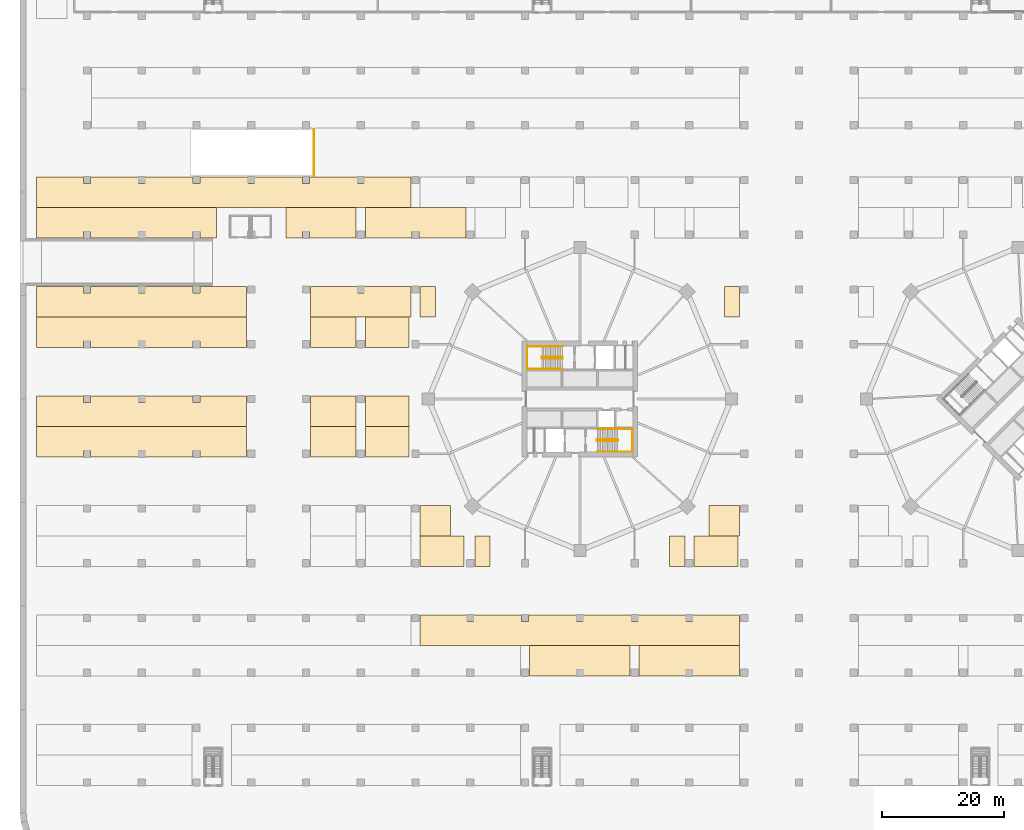
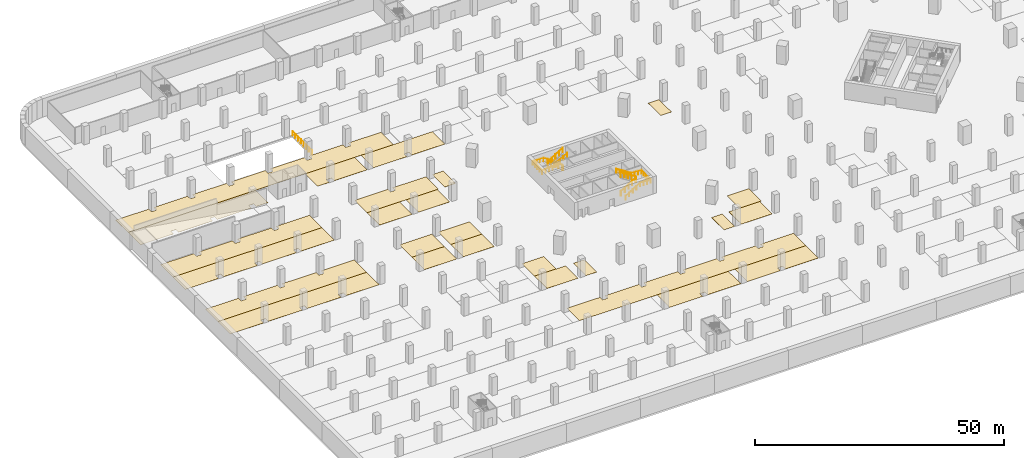
# One storey, part 24 of 34: 26 coverings, 5 railings.
"""IFC4 building model written with IfcOpenShell, lengths in metres."""

from ifc_helpers import new_model, si_unit, direction, frame, origin, origin_2d, place, context, subcontext, project, spatial, polyline, circle, outline, extrude, material, layer, layer_set, type_object, element, save


model = new_model("IFC4")

# Units and contexts
model_context = context("Model", 3, precision=1e-05, world=origin(), true_north=direction((0.0, 1.0)))
body_context = subcontext(model_context, "Body", "Model", "MODEL_VIEW")
ifc_project = project(units=[si_unit("LENGTHUNIT", "METRE"), si_unit("AREAUNIT", "SQUARE_METRE"), si_unit("VOLUMEUNIT", "CUBIC_METRE"), si_unit("PLANEANGLEUNIT", "RADIAN"), si_unit("MASSUNIT", "GRAM", prefix="KILO")], contexts=[model_context])

# Site, building, storey
site_placement = place(None, origin())
site = spatial("IfcSite", under=ifc_project, at=site_placement, CompositionType="ELEMENT")
building_placement = place(site_placement, origin())
building = spatial("IfcBuilding", under=site, at=building_placement, Name="Ogive Gate Towers", CompositionType="ELEMENT")
storey_placement = place(building_placement, frame((0.0, 0.0, -4.5)))
storey = spatial("IfcBuildingStorey", under=building, at=storey_placement, Name="B1", CompositionType="ELEMENT", Elevation=-4.5)

# Coverings
ifc_material_1 = material(Name="Painted floor marking")
ifc_layer_1 = layer(ifc_material_1, 0.02001953125)
ifc_layer_set_1 = layer_set([ifc_layer_1], Name="Accessible bay marking")
covering_type_1 = type_object("IfcCoveringType", Name="Accessible bay marking", PredefinedType="FLOORING", material=ifc_layer_set_1)
covering_1_placement = place(storey_placement, origin())
element("IfcCovering", 1, at=covering_1_placement, inside=storey, type_object=covering_type_1, Name="Accessible parking bays B1-074 to B1-075", PredefinedType="FLOORING", context=body_context, shape_type="SweptSolid", body=[
    extrude(outline(polyline([(-64.050048828125, 13.5), (-64.050048828125, 8.5), (-71.25, 8.5), (-71.25, 13.5), (-64.050048828125, 13.5)])), origin(), (0.0, 0.0, 1.0), 0.02001953125),
])
covering_2_placement = place(storey_placement, origin())
element("IfcCovering", 2, at=covering_2_placement, inside=storey, type_object=covering_type_1, Name="Accessible parking bays B1-187 to B1-188", PredefinedType="FLOORING", context=body_context, shape_type="SweptSolid", body=[
    extrude(outline(polyline([(-64.050048828125, -4.5), (-64.050048828125, -9.5), (-71.25, -9.5), (-71.25, -4.5), (-64.050048828125, -4.5)])), origin(), (0.0, 0.0, 1.0), 0.02001953125),
])
covering_3_placement = place(storey_placement, origin())
element("IfcCovering", 3, at=covering_3_placement, inside=storey, type_object=covering_type_1, Name="Accessible parking bays B1-224 to B1-225", PredefinedType="FLOORING", context=body_context, shape_type="SweptSolid", body=[
    extrude(outline(polyline([(-55.050048828125, -27.5), (-62.25, -27.5), (-62.25, -22.5), (-55.050048828125, -22.5), (-55.050048828125, -27.5)])), origin(), (0.0, 0.0, 1.0), 0.02001953125),
])
covering_4_placement = place(storey_placement, origin())
element("IfcCovering", 4, at=covering_4_placement, inside=storey, type_object=covering_type_1, Name="Accessible parking bays B1-228 to B1-229", PredefinedType="FLOORING", context=body_context, shape_type="SweptSolid", body=[
    extrude(outline(polyline([(-10.050048828125, -27.5), (-17.25, -27.5), (-17.25, -22.5), (-10.050048828125, -22.5), (-10.050048828125, -27.5)])), origin(), (0.0, 0.0, 1.0), 0.02001953125),
])
covering_5_placement = place(storey_placement, origin())
element("IfcCovering", 5, at=covering_5_placement, inside=storey, type_object=covering_type_1, Name="Accessible parking bays B1-452 to B1-453", PredefinedType="FLOORING", context=body_context, shape_type="SweptSolid", body=[
    extrude(outline(polyline([(-64.050048828125, 0.5), (-64.050048828125, -4.5), (-71.25, -4.5), (-71.25, 0.5), (-64.050048828125, 0.5)])), origin(), (0.0, 0.0, 1.0), 0.02001953125),
])

# Railing
ifc_material_2 = material(Name="Painted steel", Category="steel")
railing_type_1 = type_object("IfcRailingType", Name="Car park guard 1100", PredefinedType="GUARDRAIL", material=ifc_material_2)
railing_1_placement = place(storey_placement, frame((-79.699951171875, 36.699951171875, 0.0)))
element("IfcRailing", 6, at=railing_1_placement, inside=storey, type_object=railing_type_1, Name="Ramp opening guard 03", PredefinedType="GUARDRAIL", context=body_context, shape_type="SweptSolid", body=[
    extrude(circle(Radius=0.02392578125, at=origin_2d()), frame((0.0, 0.0, 1.076171875), z_axis=(0.0, 1.0, 0.0), x_axis=(-1.0, 0.0, 0.0)), (0.0, 0.0, 1.0), 7.60009765625),
    extrude(circle(Radius=0.02099609375, at=origin_2d()), origin(), (0.0, 0.0, 1.0), 1.052001953125),
    extrude(circle(Radius=0.02099609375, at=origin_2d()), frame((0.0, 1.085693359375, 0.0)), (0.0, 0.0, 1.0), 1.052001953125),
    extrude(circle(Radius=0.02099609375, at=origin_2d()), frame((0.0, 2.17138671875, 0.0)), (0.0, 0.0, 1.0), 1.052001953125),
    extrude(circle(Radius=0.02099609375, at=origin_2d()), frame((0.0, 3.257080078125, 0.0)), (0.0, 0.0, 1.0), 1.052001953125),
    extrude(circle(Radius=0.02099609375, at=origin_2d()), frame((0.0, 4.343017578125, 0.0)), (0.0, 0.0, 1.0), 1.052001953125),
    extrude(circle(Radius=0.02099609375, at=origin_2d()), frame((0.0, 5.4287109375, 0.0)), (0.0, 0.0, 1.0), 1.052001953125),
    extrude(circle(Radius=0.02099609375, at=origin_2d()), frame((0.0, 6.514404296875, 0.0)), (0.0, 0.0, 1.0), 1.052001953125),
    extrude(circle(Radius=0.02099609375, at=origin_2d()), frame((0.0, 7.60009765625, 0.0)), (0.0, 0.0, 1.0), 1.052001953125),
])

# Coverings
ifc_layer_2 = layer(ifc_material_1, 0.02001953125)
ifc_layer_set_2 = layer_set([ifc_layer_2], Name="Charging bay marking")
covering_type_2 = type_object("IfcCoveringType", Name="Charging bay marking", PredefinedType="FLOORING", material=ifc_layer_set_2)
covering_6_placement = place(storey_placement, origin())
element("IfcCovering", 7, at=covering_6_placement, inside=storey, type_object=covering_type_2, Name="Charging bays B1-015 to B1-020", PredefinedType="FLOORING", context=body_context, shape_type="SweptSolid", body=[
    extrude(outline(polyline([(-71.25, 31.5), (-54.75, 31.5), (-54.75, 26.5), (-62.449951171875, 26.5), (-62.449951171875, 27.550048828125), (-63.550048828125, 27.550048828125), (-63.550048828125, 26.5), (-71.25, 26.5), (-71.25, 31.5)])), origin(), (0.0, 0.0, 1.0), 0.02001953125),
])
covering_7_placement = place(storey_placement, origin())
element("IfcCovering", 8, at=covering_7_placement, inside=storey, type_object=covering_type_2, Name="Charging bays B1-071 to B1-073", PredefinedType="FLOORING", context=body_context, shape_type="SweptSolid", body=[
    extrude(outline(polyline([(-72.75, 13.5), (-72.75, 8.5), (-80.25, 8.5), (-80.25, 13.5), (-72.75, 13.5)])), origin(), (0.0, 0.0, 1.0), 0.02001953125),
])
covering_8_placement = place(storey_placement, origin())
element("IfcCovering", 9, at=covering_8_placement, inside=storey, type_object=covering_type_2, Name="Charging bays B1-184 to B1-186", PredefinedType="FLOORING", context=body_context, shape_type="SweptSolid", body=[
    extrude(outline(polyline([(-72.75, -4.5), (-72.75, -9.5), (-80.25, -9.5), (-80.25, -4.5), (-72.75, -4.5)])), origin(), (0.0, 0.0, 1.0), 0.02001953125),
])
covering_9_placement = place(storey_placement, origin())
element("IfcCovering", 10, at=covering_9_placement, inside=storey, type_object=covering_type_2, Name="Charging bays B1-279 to B1-284", PredefinedType="FLOORING", context=body_context, shape_type="SweptSolid", body=[
    extrude(outline(polyline([(-44.25, -40.5), (-27.75, -40.5), (-27.75, -45.5), (-35.449951171875, -45.5), (-35.449951171875, -44.449951171875), (-36.550048828125, -44.449951171875), (-36.550048828125, -45.5), (-44.25, -45.5), (-44.25, -40.5)])), origin(), (0.0, 0.0, 1.0), 0.02001953125),
])
covering_10_placement = place(storey_placement, origin())
element("IfcCovering", 11, at=covering_10_placement, inside=storey, type_object=covering_type_2, Name="Charging bays B1-409 to B1-414", PredefinedType="FLOORING", context=body_context, shape_type="SweptSolid", body=[
    extrude(outline(polyline([(-80.25, 18.5), (-72.550048828125, 18.5), (-72.550048828125, 17.449951171875), (-71.449951171875, 17.449951171875), (-71.449951171875, 18.5), (-63.75, 18.5), (-63.75, 13.5), (-80.25, 13.5), (-80.25, 18.5)])), origin(), (0.0, 0.0, 1.0), 0.02001953125),
])
covering_11_placement = place(storey_placement, origin())
element("IfcCovering", 12, at=covering_11_placement, inside=storey, type_object=covering_type_2, Name="Charging bays B1-449 to B1-451", PredefinedType="FLOORING", context=body_context, shape_type="SweptSolid", body=[
    extrude(outline(polyline([(-72.75, 0.5), (-72.75, -4.5), (-80.25, -4.5), (-80.25, 0.5), (-72.75, 0.5)])), origin(), (0.0, 0.0, 1.0), 0.02001953125),
])
covering_12_placement = place(storey_placement, origin())
element("IfcCovering", 13, at=covering_12_placement, inside=storey, type_object=covering_type_2, Name="Charging bays B1-686 to B1-703", PredefinedType="FLOORING", context=body_context, shape_type="SweptSolid", body=[
    extrude(outline(polyline([(-62.25, -35.5), (-54.550048828125, -35.5), (-54.550048828125, -36.550048828125), (-53.449951171875, -36.550048828125), (-53.449951171875, -35.5), (-45.550048828125, -35.5), (-45.550048828125, -36.550048828125), (-44.449951171875, -36.550048828125), (-44.449951171875, -35.5), (-36.550048828125, -35.5), (-36.550048828125, -36.550048828125), (-35.449951171875, -36.550048828125), (-35.449951171875, -35.5), (-27.550048828125, -35.5), (-27.550048828125, -36.550048828125), (-26.449951171875, -36.550048828125), (-26.449951171875, -35.5), (-18.550048828125, -35.5), (-18.550048828125, -36.550048828125), (-17.449951171875, -36.550048828125), (-17.449951171875, -35.5), (-9.75, -35.5), (-9.75, -40.5), (-62.25, -40.5), (-62.25, -35.5)])), origin(), (0.0, 0.0, 1.0), 0.02001953125),
])
ifc_layer_3 = layer(ifc_material_1, 0.02001953125)
ifc_layer_set_3 = layer_set([ifc_layer_3], Name="Parking bay marking")
covering_type_3 = type_object("IfcCoveringType", Name="Parking bay marking", PredefinedType="FLOORING", material=ifc_layer_set_3)
covering_13_placement = place(storey_placement, origin())
element("IfcCovering", 14, at=covering_13_placement, inside=storey, type_object=covering_type_3, Name="Parking bays B1-001 to B1-010", PredefinedType="FLOORING", context=body_context, shape_type="SweptSolid", body=[
    extrude(outline(polyline([(-125.25, 31.5), (-95.75, 31.5), (-95.75, 26.5), (-98.449951171875, 26.5), (-98.449951171875, 27.550048828125), (-99.550048828125, 27.550048828125), (-99.550048828125, 26.5), (-107.449951171875, 26.5), (-107.449951171875, 27.550048828125), (-108.550048828125, 27.550048828125), (-108.550048828125, 26.5), (-116.449951171875, 26.5), (-116.449951171875, 27.550048828125), (-117.550048828125, 27.550048828125), (-117.550048828125, 26.5), (-125.25, 26.5), (-125.25, 31.5)])), origin(), (0.0, 0.0, 1.0), 0.02001953125),
])
covering_14_placement = place(storey_placement, origin())
element("IfcCovering", 15, at=covering_14_placement, inside=storey, type_object=covering_type_3, Name="Parking bays B1-011 to B1-014", PredefinedType="FLOORING", context=body_context, shape_type="SweptSolid", body=[
    extrude(outline(polyline([(-84.25, 31.5), (-72.75, 31.5), (-72.75, 26.5), (-80.449951171875, 26.5), (-80.449951171875, 27.550048828125), (-81.550048828125, 27.550048828125), (-81.550048828125, 26.5), (-84.25, 26.5), (-84.25, 31.5)])), origin(), (0.0, 0.0, 1.0), 0.02001953125),
])
covering_15_placement = place(storey_placement, origin())
element("IfcCovering", 16, at=covering_15_placement, inside=storey, type_object=covering_type_3, Name="Parking bays B1-059 to B1-070", PredefinedType="FLOORING", context=body_context, shape_type="SweptSolid", body=[
    extrude(outline(polyline([(-125.25, 13.5), (-90.75, 13.5), (-90.75, 8.5), (-98.449951171875, 8.5), (-98.449951171875, 9.550048828125), (-99.550048828125, 9.550048828125), (-99.550048828125, 8.5), (-107.449951171875, 8.5), (-107.449951171875, 9.550048828125), (-108.550048828125, 9.550048828125), (-108.550048828125, 8.5), (-116.449951171875, 8.5), (-116.449951171875, 9.550048828125), (-117.550048828125, 9.550048828125), (-117.550048828125, 8.5), (-125.25, 8.5), (-125.25, 13.5)])), origin(), (0.0, 0.0, 1.0), 0.02001953125),
])
covering_16_placement = place(storey_placement, origin())
element("IfcCovering", 17, at=covering_16_placement, inside=storey, type_object=covering_type_3, Name="Parking bays B1-172 to B1-183", PredefinedType="FLOORING", context=body_context, shape_type="SweptSolid", body=[
    extrude(outline(polyline([(-125.25, -4.5), (-90.75, -4.5), (-90.75, -9.5), (-98.449951171875, -9.5), (-98.449951171875, -8.449951171875), (-99.550048828125, -8.449951171875), (-99.550048828125, -9.5), (-107.449951171875, -9.5), (-107.449951171875, -8.449951171875), (-108.550048828125, -8.449951171875), (-108.550048828125, -9.5), (-116.449951171875, -9.5), (-116.449951171875, -8.449951171875), (-117.550048828125, -8.449951171875), (-117.550048828125, -9.5), (-125.25, -9.5), (-125.25, -4.5)])), origin(), (0.0, 0.0, 1.0), 0.02001953125),
])
covering_17_placement = place(storey_placement, origin())
element("IfcCovering", 18, at=covering_17_placement, inside=storey, type_object=covering_type_3, Name="Parking bay B1-226", PredefinedType="FLOORING", context=body_context, shape_type="SweptSolid", body=[
    extrude(outline(polyline([(-53.25, -22.5), (-50.75, -22.5), (-50.75, -27.5), (-53.25, -27.5), (-53.25, -22.5)])), origin(), (0.0, 0.0, 1.0), 0.02001953125),
])
covering_18_placement = place(storey_placement, origin())
element("IfcCovering", 19, at=covering_18_placement, inside=storey, type_object=covering_type_3, Name="Parking bay B1-227", PredefinedType="FLOORING", context=body_context, shape_type="SweptSolid", body=[
    extrude(outline(polyline([(-21.25, -22.5), (-18.75, -22.5), (-18.75, -27.5), (-21.25, -27.5), (-21.25, -22.5)])), origin(), (0.0, 0.0, 1.0), 0.02001953125),
])
covering_19_placement = place(storey_placement, origin())
element("IfcCovering", 20, at=covering_19_placement, inside=storey, type_object=covering_type_3, Name="Parking bays B1-285 to B1-290", PredefinedType="FLOORING", context=body_context, shape_type="SweptSolid", body=[
    extrude(outline(polyline([(-9.75, -40.5), (-9.75, -45.5), (-17.449951171875, -45.5), (-17.449951171875, -44.449951171875), (-18.550048828125, -44.449951171875), (-18.550048828125, -45.5), (-26.25, -45.5), (-26.25, -40.5), (-9.75, -40.5)])), origin(), (0.0, 0.0, 1.0), 0.02001953125),
])
covering_20_placement = place(storey_placement, origin())
element("IfcCovering", 21, at=covering_20_placement, inside=storey, type_object=covering_type_3, Name="Parking bays B1-397 to B1-408", PredefinedType="FLOORING", context=body_context, shape_type="SweptSolid", body=[
    extrude(outline(polyline([(-125.25, 18.5), (-117.550048828125, 18.5), (-117.550048828125, 17.449951171875), (-116.449951171875, 17.449951171875), (-116.449951171875, 18.5), (-108.550048828125, 18.5), (-108.550048828125, 17.449951171875), (-107.449951171875, 17.449951171875), (-107.449951171875, 18.5), (-99.550048828125, 18.5), (-99.550048828125, 17.449951171875), (-98.449951171875, 17.449951171875), (-98.449951171875, 18.5), (-90.75, 18.5), (-90.75, 13.5), (-125.25, 13.5), (-125.25, 18.5)])), origin(), (0.0, 0.0, 1.0), 0.02001953125),
])
covering_21_placement = place(storey_placement, origin())
element("IfcCovering", 22, at=covering_21_placement, inside=storey, type_object=covering_type_3, Name="Parking bay B1-415", PredefinedType="FLOORING", context=body_context, shape_type="SweptSolid", body=[
    extrude(outline(polyline([(-62.25, 18.5), (-59.75, 18.5), (-59.75, 13.5), (-62.25, 13.5), (-62.25, 18.5)])), origin(), (0.0, 0.0, 1.0), 0.02001953125),
])
covering_22_placement = place(storey_placement, origin())
element("IfcCovering", 23, at=covering_22_placement, inside=storey, type_object=covering_type_3, Name="Parking bay B1-416", PredefinedType="FLOORING", context=body_context, shape_type="SweptSolid", body=[
    extrude(outline(polyline([(-12.25, 18.5), (-9.75, 18.5), (-9.75, 13.5), (-12.25, 13.5), (-12.25, 18.5)])), origin(), (0.0, 0.0, 1.0), 0.02001953125),
])
covering_23_placement = place(storey_placement, origin())
element("IfcCovering", 24, at=covering_23_placement, inside=storey, type_object=covering_type_3, Name="Parking bays B1-437 to B1-448", PredefinedType="FLOORING", context=body_context, shape_type="SweptSolid", body=[
    extrude(outline(polyline([(-125.25, 0.5), (-117.550048828125, 0.5), (-117.550048828125, -0.550048828125), (-116.449951171875, -0.550048828125), (-116.449951171875, 0.5), (-108.550048828125, 0.5), (-108.550048828125, -0.550048828125), (-107.449951171875, -0.550048828125), (-107.449951171875, 0.5), (-99.550048828125, 0.5), (-99.550048828125, -0.550048828125), (-98.449951171875, -0.550048828125), (-98.449951171875, 0.5), (-90.75, 0.5), (-90.75, -4.5), (-125.25, -4.5), (-125.25, 0.5)])), origin(), (0.0, 0.0, 1.0), 0.02001953125),
])
covering_24_placement = place(storey_placement, origin())
element("IfcCovering", 25, at=covering_24_placement, inside=storey, type_object=covering_type_3, Name="Parking bays B1-471 to B1-491", PredefinedType="FLOORING", context=body_context, shape_type="SweptSolid", body=[
    extrude(outline(polyline([(-125.25, 36.5), (-117.550048828125, 36.5), (-117.550048828125, 35.449951171875), (-116.449951171875, 35.449951171875), (-116.449951171875, 36.5), (-108.550048828125, 36.5), (-108.550048828125, 35.449951171875), (-107.449951171875, 35.449951171875), (-107.449951171875, 36.5), (-99.550048828125, 36.5), (-99.550048828125, 35.449951171875), (-98.449951171875, 35.449951171875), (-98.449951171875, 36.5), (-90.550048828125, 36.5), (-90.550048828125, 35.449951171875), (-89.449951171875, 35.449951171875), (-89.449951171875, 36.5), (-81.550048828125, 36.5), (-81.550048828125, 35.449951171875), (-80.449951171875, 35.449951171875), (-80.449951171875, 36.5), (-72.550048828125, 36.5), (-72.550048828125, 35.449951171875), (-71.449951171875, 35.449951171875), (-71.449951171875, 36.5), (-63.75, 36.5), (-63.75, 31.5), (-125.25, 31.5), (-125.25, 36.5)])), origin(), (0.0, 0.0, 1.0), 0.02001953125),
])
covering_25_placement = place(storey_placement, origin())
element("IfcCovering", 26, at=covering_25_placement, inside=storey, type_object=covering_type_3, Name="Parking bays B1-639 to B1-640", PredefinedType="FLOORING", context=body_context, shape_type="SweptSolid", body=[
    extrude(outline(polyline([(-62.25, -17.5), (-57.25, -17.5), (-57.25, -22.5), (-62.25, -22.5), (-62.25, -17.5)])), origin(), (0.0, 0.0, 1.0), 0.02001953125),
])
covering_26_placement = place(storey_placement, origin())
element("IfcCovering", 27, at=covering_26_placement, inside=storey, type_object=covering_type_3, Name="Parking bays B1-641 to B1-642", PredefinedType="FLOORING", context=body_context, shape_type="SweptSolid", body=[
    extrude(outline(polyline([(-14.75, -17.5), (-9.75, -17.5), (-9.75, -22.5), (-14.75, -22.5), (-14.75, -17.5)])), origin(), (0.0, 0.0, 1.0), 0.02001953125),
])

# Railings
ifc_material_3 = material(Name="Stainless steel", Category="steel")
railing_type_2 = type_object("IfcRailingType", Name="Stair guard 1100", PredefinedType="GUARDRAIL", material=ifc_material_3)
railing_2_placement = place(storey_placement, frame((-38.81494140625, 6.860107421875, 0.0)))
element("IfcRailing", 28, at=railing_2_placement, inside=storey, type_object=railing_type_2, Name="B1 ST1 stair guard 1", PredefinedType="GUARDRAIL", context=body_context, shape_type="SweptSolid", body=[
    extrude(circle(Radius=0.02392578125, at=origin_2d()), frame((0.0, 0.0, 1.076171875), z_axis=(0.0, -1.0, 0.0), x_axis=(1.0, 0.0, 0.0)), (0.0, 0.0, 1.0), 0.14501953125),
    extrude(circle(Radius=0.02392578125, at=origin_2d()), frame((0.0, -0.14501953125, 1.076171875), z_axis=(-0.188597165029, 0.734148964356, 0.652270195148), x_axis=(-0.968551454522, -0.24881334358, 0.0)), (0.0, 0.0, 1.0), 0.265380859375),
    extrude(circle(Radius=0.02392578125, at=origin_2d()), frame((-0.050048828125, 0.0498046875, 1.2490234375), z_axis=(-0.850623216509, 0.0, 0.525775754039), x_axis=(0.0, -1.0, 0.0)), (0.0, 0.0, 1.0), 3.9501953125),
    extrude(circle(Radius=0.02392578125, at=origin_2d()), frame((-3.41015625, 0.0498046875, 3.326171875), z_axis=(-0.707106781187, -0.707106781187, 0.0), x_axis=(0.707106781187, -0.707106781187, 0.0)), (0.0, 0.0, 1.0), 0.0703125),
    extrude(circle(Radius=0.02392578125, at=origin_2d()), frame((-3.4599609375, 0.0, 3.326171875), z_axis=(0.0, -1.0, 0.0), x_axis=(1.0, 0.0, 0.0)), (0.0, 0.0, 1.0), 0.14501953125),
    extrude(circle(Radius=0.02392578125, at=origin_2d()), frame((-3.4599609375, -0.14501953125, 3.326171875), z_axis=(0.266417085129, -0.267723051232, 0.925929967433), x_axis=(0.708833529934, 0.705375805398, 0.0)), (0.0, 0.0, 1.0), 0.18701171875),
    extrude(circle(Radius=0.02392578125, at=origin_2d()), frame((-3.41015625, -0.195068359375, 3.4990234375), z_axis=(0.850623216509, 0.0, 0.525775754039), x_axis=(0.0, 1.0, 0.0)), (0.0, 0.0, 1.0), 3.9501953125),
    extrude(circle(Radius=0.02099609375, at=origin_2d()), origin(), (0.0, 0.0, 1.0), 1.052001953125),
    extrude(circle(Radius=0.02099609375, at=origin_2d()), frame((0.0, -0.14501953125, 0.0)), (0.0, 0.0, 1.0), 1.052001953125),
    extrude(circle(Radius=0.02099609375, at=origin_2d()), frame((-0.050048828125, 0.0498046875, 0.173095703125)), (0.0, 0.0, 1.0), 1.052001953125),
    extrude(circle(Radius=0.02099609375, at=origin_2d()), frame((-0.89013671875, 0.0498046875, 0.6923828125)), (0.0, 0.0, 1.0), 1.052001953125),
    extrude(circle(Radius=0.02099609375, at=origin_2d()), frame((-1.72998046875, 0.0498046875, 1.21142578125)), (0.0, 0.0, 1.0), 1.052001953125),
    extrude(circle(Radius=0.02099609375, at=origin_2d()), frame((-2.570068359375, 0.0498046875, 1.730712890625)), (0.0, 0.0, 1.0), 1.052001953125),
    extrude(circle(Radius=0.02099609375, at=origin_2d()), frame((-3.41015625, 0.0498046875, 2.25)), (0.0, 0.0, 1.0), 1.052001953125),
    extrude(circle(Radius=0.02099609375, at=origin_2d()), frame((-3.4599609375, 0.0, 2.25)), (0.0, 0.0, 1.0), 1.052001953125),
    extrude(circle(Radius=0.02099609375, at=origin_2d()), frame((-3.4599609375, -0.14501953125, 2.25)), (0.0, 0.0, 1.0), 1.052001953125),
    extrude(circle(Radius=0.02099609375, at=origin_2d()), frame((-3.41015625, -0.195068359375, 2.423095703125)), (0.0, 0.0, 1.0), 1.052001953125),
    extrude(circle(Radius=0.02099609375, at=origin_2d()), frame((-2.570068359375, -0.195068359375, 2.9423828125)), (0.0, 0.0, 1.0), 1.052001953125),
    extrude(circle(Radius=0.02099609375, at=origin_2d()), frame((-1.72998046875, -0.195068359375, 3.46142578125)), (0.0, 0.0, 1.0), 1.052001953125),
    extrude(circle(Radius=0.02099609375, at=origin_2d()), frame((-0.89013671875, -0.195068359375, 3.980712890625)), (0.0, 0.0, 1.0), 1.052001953125),
    extrude(circle(Radius=0.02099609375, at=origin_2d()), frame((-0.050048828125, -0.195068359375, 4.5)), (0.0, 0.0, 1.0), 1.052001953125),
])
railing_3_placement = place(storey_placement, frame((-33.18505859375, -6.860107421875, 0.0)))
element("IfcRailing", 29, at=railing_3_placement, inside=storey, type_object=railing_type_2, Name="B1 ST2 stair guard 1", PredefinedType="GUARDRAIL", context=body_context, shape_type="SweptSolid", body=[
    extrude(circle(Radius=0.02392578125, at=origin_2d()), frame((0.0, 0.0, 1.076171875), z_axis=(0.0, 1.0, 0.0), x_axis=(-1.0, 0.0, 0.0)), (0.0, 0.0, 1.0), 0.14501953125),
    extrude(circle(Radius=0.02392578125, at=origin_2d()), frame((0.0, 0.14501953125, 1.076171875), z_axis=(0.188597165029, -0.734148964356, 0.652270195148), x_axis=(0.968551454522, 0.24881334358, 0.0)), (0.0, 0.0, 1.0), 0.265380859375),
    extrude(circle(Radius=0.02392578125, at=origin_2d()), frame((0.050048828125, -0.0498046875, 1.2490234375), z_axis=(0.850623216509, 0.0, 0.525775754039), x_axis=(0.0, 1.0, 0.0)), (0.0, 0.0, 1.0), 3.9501953125),
    extrude(circle(Radius=0.02392578125, at=origin_2d()), frame((3.41015625, -0.0498046875, 3.326171875), z_axis=(0.707106781187, 0.707106781187, 0.0), x_axis=(-0.707106781187, 0.707106781187, 0.0)), (0.0, 0.0, 1.0), 0.0703125),
    extrude(circle(Radius=0.02392578125, at=origin_2d()), frame((3.4599609375, 0.0, 3.326171875), z_axis=(0.0, 1.0, 0.0), x_axis=(-1.0, 0.0, 0.0)), (0.0, 0.0, 1.0), 0.14501953125),
    extrude(circle(Radius=0.02392578125, at=origin_2d()), frame((3.4599609375, 0.14501953125, 3.326171875), z_axis=(-0.266417085129, 0.267723051232, 0.925929967433), x_axis=(-0.708833529934, -0.705375805398, 0.0)), (0.0, 0.0, 1.0), 0.18701171875),
    extrude(circle(Radius=0.02392578125, at=origin_2d()), frame((3.41015625, 0.195068359375, 3.4990234375), z_axis=(-0.850623216509, 0.0, 0.525775754039), x_axis=(0.0, -1.0, 0.0)), (0.0, 0.0, 1.0), 3.9501953125),
    extrude(circle(Radius=0.02099609375, at=origin_2d()), origin(), (0.0, 0.0, 1.0), 1.052001953125),
    extrude(circle(Radius=0.02099609375, at=origin_2d()), frame((0.0, 0.14501953125, 0.0)), (0.0, 0.0, 1.0), 1.052001953125),
    extrude(circle(Radius=0.02099609375, at=origin_2d()), frame((0.050048828125, -0.0498046875, 0.173095703125)), (0.0, 0.0, 1.0), 1.052001953125),
    extrude(circle(Radius=0.02099609375, at=origin_2d()), frame((0.89013671875, -0.0498046875, 0.6923828125)), (0.0, 0.0, 1.0), 1.052001953125),
    extrude(circle(Radius=0.02099609375, at=origin_2d()), frame((1.72998046875, -0.0498046875, 1.21142578125)), (0.0, 0.0, 1.0), 1.052001953125),
    extrude(circle(Radius=0.02099609375, at=origin_2d()), frame((2.570068359375, -0.0498046875, 1.730712890625)), (0.0, 0.0, 1.0), 1.052001953125),
    extrude(circle(Radius=0.02099609375, at=origin_2d()), frame((3.41015625, -0.0498046875, 2.25)), (0.0, 0.0, 1.0), 1.052001953125),
    extrude(circle(Radius=0.02099609375, at=origin_2d()), frame((3.4599609375, 0.0, 2.25)), (0.0, 0.0, 1.0), 1.052001953125),
    extrude(circle(Radius=0.02099609375, at=origin_2d()), frame((3.4599609375, 0.14501953125, 2.25)), (0.0, 0.0, 1.0), 1.052001953125),
    extrude(circle(Radius=0.02099609375, at=origin_2d()), frame((3.41015625, 0.195068359375, 2.423095703125)), (0.0, 0.0, 1.0), 1.052001953125),
    extrude(circle(Radius=0.02099609375, at=origin_2d()), frame((2.570068359375, 0.195068359375, 2.9423828125)), (0.0, 0.0, 1.0), 1.052001953125),
    extrude(circle(Radius=0.02099609375, at=origin_2d()), frame((1.72998046875, 0.195068359375, 3.46142578125)), (0.0, 0.0, 1.0), 1.052001953125),
    extrude(circle(Radius=0.02099609375, at=origin_2d()), frame((0.89013671875, 0.195068359375, 3.980712890625)), (0.0, 0.0, 1.0), 1.052001953125),
    extrude(circle(Radius=0.02099609375, at=origin_2d()), frame((0.050048828125, 0.195068359375, 4.5)), (0.0, 0.0, 1.0), 1.052001953125),
])
railing_type_3 = type_object("IfcRailingType", Name="Stair handrail 900", PredefinedType="HANDRAIL", material=ifc_material_3)
railing_4_placement = place(storey_placement, frame((-38.864990234375, 8.64990234375, 0.173095703125)))
element("IfcRailing", 30, at=railing_4_placement, inside=storey, type_object=railing_type_3, Name="B1 ST1 stair handrail 1", PredefinedType="HANDRAIL", context=body_context, shape_type="SweptSolid", body=[
    extrude(circle(Radius=0.02392578125, at=origin_2d()), frame((0.0, 0.0, 0.8759765625), z_axis=(-0.850623216509, 0.0, 0.525775754039), x_axis=(0.0, -1.0, 0.0)), (0.0, 0.0, 1.0), 3.9501953125),
    extrude(circle(Radius=0.02392578125, at=origin_2d()), frame((-3.360107421875, 0.0, 2.95263671875), z_axis=(-1.0, 0.0, 0.0), x_axis=(0.0, -1.0, 0.0)), (0.0, 0.0, 1.0), 2.4248046875),
    extrude(circle(Radius=0.02392578125, at=origin_2d()), frame((-5.784912109375, 0.0, 2.95263671875), z_axis=(0.0, -1.0, 0.0), x_axis=(1.0, 0.0, 0.0)), (0.0, 0.0, 1.0), 3.724853515625),
    extrude(circle(Radius=0.02392578125, at=origin_2d()), frame((-5.784912109375, -3.724853515625, 2.95263671875), z_axis=(0.997461757666, 0.0, 0.071204227365), x_axis=(0.0, 1.0, 0.0)), (0.0, 0.0, 1.0), 2.430908203125),
    extrude(circle(Radius=0.02392578125, at=origin_2d()), frame((-3.360107421875, -3.724853515625, 3.1259765625), z_axis=(0.850623216509, 0.0, 0.525775754039), x_axis=(0.0, 1.0, 0.0)), (0.0, 0.0, 1.0), 3.9501953125),
    extrude(circle(Radius=0.02099609375, at=origin_2d()), origin(), (0.0, 0.0, 1.0), 0.851806640625),
    extrude(circle(Radius=0.02099609375, at=origin_2d()), frame((-0.840087890625, 0.0, 0.519287109375)), (0.0, 0.0, 1.0), 0.851806640625),
    extrude(circle(Radius=0.02099609375, at=origin_2d()), frame((-1.68017578125, 0.0, 1.03857421875)), (0.0, 0.0, 1.0), 0.851806640625),
    extrude(circle(Radius=0.02099609375, at=origin_2d()), frame((-2.52001953125, 0.0, 1.5576171875)), (0.0, 0.0, 1.0), 0.851806640625),
    extrude(circle(Radius=0.02099609375, at=origin_2d()), frame((-3.360107421875, 0.0, 2.076904296875)), (0.0, 0.0, 1.0), 0.851806640625),
    extrude(circle(Radius=0.02099609375, at=origin_2d()), frame((-4.16845703125, 0.0, 2.076904296875)), (0.0, 0.0, 1.0), 0.851806640625),
    extrude(circle(Radius=0.02099609375, at=origin_2d()), frame((-4.9765625, 0.0, 2.076904296875)), (0.0, 0.0, 1.0), 0.851806640625),
    extrude(circle(Radius=0.02099609375, at=origin_2d()), frame((-5.784912109375, 0.0, 2.076904296875)), (0.0, 0.0, 1.0), 0.851806640625),
    extrude(circle(Radius=0.02099609375, at=origin_2d()), frame((-5.784912109375, -0.93115234375, 2.076904296875)), (0.0, 0.0, 1.0), 0.851806640625),
    extrude(circle(Radius=0.02099609375, at=origin_2d()), frame((-5.784912109375, -1.8623046875, 2.076904296875)), (0.0, 0.0, 1.0), 0.851806640625),
    extrude(circle(Radius=0.02099609375, at=origin_2d()), frame((-5.784912109375, -2.793701171875, 2.076904296875)), (0.0, 0.0, 1.0), 0.851806640625),
    extrude(circle(Radius=0.02099609375, at=origin_2d()), frame((-5.784912109375, -3.724853515625, 2.076904296875)), (0.0, 0.0, 1.0), 0.851806640625),
    extrude(circle(Radius=0.02099609375, at=origin_2d()), frame((-4.9765625, -3.724853515625, 2.134521484375)), (0.0, 0.0, 1.0), 0.851806640625),
    extrude(circle(Radius=0.02099609375, at=origin_2d()), frame((-4.16845703125, -3.724853515625, 2.1923828125)), (0.0, 0.0, 1.0), 0.851806640625),
    extrude(circle(Radius=0.02099609375, at=origin_2d()), frame((-3.360107421875, -3.724853515625, 2.25)), (0.0, 0.0, 1.0), 0.851806640625),
    extrude(circle(Radius=0.02099609375, at=origin_2d()), frame((-2.52001953125, -3.724853515625, 2.769287109375)), (0.0, 0.0, 1.0), 0.851806640625),
    extrude(circle(Radius=0.02099609375, at=origin_2d()), frame((-1.68017578125, -3.724853515625, 3.28857421875)), (0.0, 0.0, 1.0), 0.851806640625),
    extrude(circle(Radius=0.02099609375, at=origin_2d()), frame((-0.840087890625, -3.724853515625, 3.8076171875)), (0.0, 0.0, 1.0), 0.851806640625),
    extrude(circle(Radius=0.02099609375, at=origin_2d()), frame((0.0, -3.724853515625, 4.326904296875)), (0.0, 0.0, 1.0), 0.851806640625),
])
railing_5_placement = place(storey_placement, frame((-33.135009765625, -8.64990234375, 0.173095703125)))
element("IfcRailing", 31, at=railing_5_placement, inside=storey, type_object=railing_type_3, Name="B1 ST2 stair handrail 1", PredefinedType="HANDRAIL", context=body_context, shape_type="SweptSolid", body=[
    extrude(circle(Radius=0.02392578125, at=origin_2d()), frame((0.0, 0.0, 0.8759765625), z_axis=(0.850623216509, 0.0, 0.525775754039), x_axis=(0.0, 1.0, 0.0)), (0.0, 0.0, 1.0), 3.9501953125),
    extrude(circle(Radius=0.02392578125, at=origin_2d()), frame((3.360107421875, 0.0, 2.95263671875), z_axis=(1.0, 0.0, 0.0), x_axis=(0.0, 1.0, 0.0)), (0.0, 0.0, 1.0), 2.4248046875),
    extrude(circle(Radius=0.02392578125, at=origin_2d()), frame((5.784912109375, 0.0, 2.95263671875), z_axis=(0.0, 1.0, 0.0), x_axis=(-1.0, 0.0, 0.0)), (0.0, 0.0, 1.0), 3.724853515625),
    extrude(circle(Radius=0.02392578125, at=origin_2d()), frame((5.784912109375, 3.724853515625, 2.95263671875), z_axis=(-0.997461757666, 0.0, 0.071204227365), x_axis=(0.0, -1.0, 0.0)), (0.0, 0.0, 1.0), 2.430908203125),
    extrude(circle(Radius=0.02392578125, at=origin_2d()), frame((3.360107421875, 3.724853515625, 3.1259765625), z_axis=(-0.850623216509, 0.0, 0.525775754039), x_axis=(0.0, -1.0, 0.0)), (0.0, 0.0, 1.0), 3.9501953125),
    extrude(circle(Radius=0.02099609375, at=origin_2d()), origin(), (0.0, 0.0, 1.0), 0.851806640625),
    extrude(circle(Radius=0.02099609375, at=origin_2d()), frame((0.840087890625, 0.0, 0.519287109375)), (0.0, 0.0, 1.0), 0.851806640625),
    extrude(circle(Radius=0.02099609375, at=origin_2d()), frame((1.68017578125, 0.0, 1.03857421875)), (0.0, 0.0, 1.0), 0.851806640625),
    extrude(circle(Radius=0.02099609375, at=origin_2d()), frame((2.52001953125, 0.0, 1.5576171875)), (0.0, 0.0, 1.0), 0.851806640625),
    extrude(circle(Radius=0.02099609375, at=origin_2d()), frame((3.360107421875, 0.0, 2.076904296875)), (0.0, 0.0, 1.0), 0.851806640625),
    extrude(circle(Radius=0.02099609375, at=origin_2d()), frame((4.16845703125, 0.0, 2.076904296875)), (0.0, 0.0, 1.0), 0.851806640625),
    extrude(circle(Radius=0.02099609375, at=origin_2d()), frame((4.9765625, 0.0, 2.076904296875)), (0.0, 0.0, 1.0), 0.851806640625),
    extrude(circle(Radius=0.02099609375, at=origin_2d()), frame((5.784912109375, 0.0, 2.076904296875)), (0.0, 0.0, 1.0), 0.851806640625),
    extrude(circle(Radius=0.02099609375, at=origin_2d()), frame((5.784912109375, 0.93115234375, 2.076904296875)), (0.0, 0.0, 1.0), 0.851806640625),
    extrude(circle(Radius=0.02099609375, at=origin_2d()), frame((5.784912109375, 1.8623046875, 2.076904296875)), (0.0, 0.0, 1.0), 0.851806640625),
    extrude(circle(Radius=0.02099609375, at=origin_2d()), frame((5.784912109375, 2.793701171875, 2.076904296875)), (0.0, 0.0, 1.0), 0.851806640625),
    extrude(circle(Radius=0.02099609375, at=origin_2d()), frame((5.784912109375, 3.724853515625, 2.076904296875)), (0.0, 0.0, 1.0), 0.851806640625),
    extrude(circle(Radius=0.02099609375, at=origin_2d()), frame((4.9765625, 3.724853515625, 2.134521484375)), (0.0, 0.0, 1.0), 0.851806640625),
    extrude(circle(Radius=0.02099609375, at=origin_2d()), frame((4.16845703125, 3.724853515625, 2.1923828125)), (0.0, 0.0, 1.0), 0.851806640625),
    extrude(circle(Radius=0.02099609375, at=origin_2d()), frame((3.360107421875, 3.724853515625, 2.25)), (0.0, 0.0, 1.0), 0.851806640625),
    extrude(circle(Radius=0.02099609375, at=origin_2d()), frame((2.52001953125, 3.724853515625, 2.769287109375)), (0.0, 0.0, 1.0), 0.851806640625),
    extrude(circle(Radius=0.02099609375, at=origin_2d()), frame((1.68017578125, 3.724853515625, 3.28857421875)), (0.0, 0.0, 1.0), 0.851806640625),
    extrude(circle(Radius=0.02099609375, at=origin_2d()), frame((0.840087890625, 3.724853515625, 3.8076171875)), (0.0, 0.0, 1.0), 0.851806640625),
    extrude(circle(Radius=0.02099609375, at=origin_2d()), frame((0.0, 3.724853515625, 4.326904296875)), (0.0, 0.0, 1.0), 0.851806640625),
])

save(model, "model.ifc")
